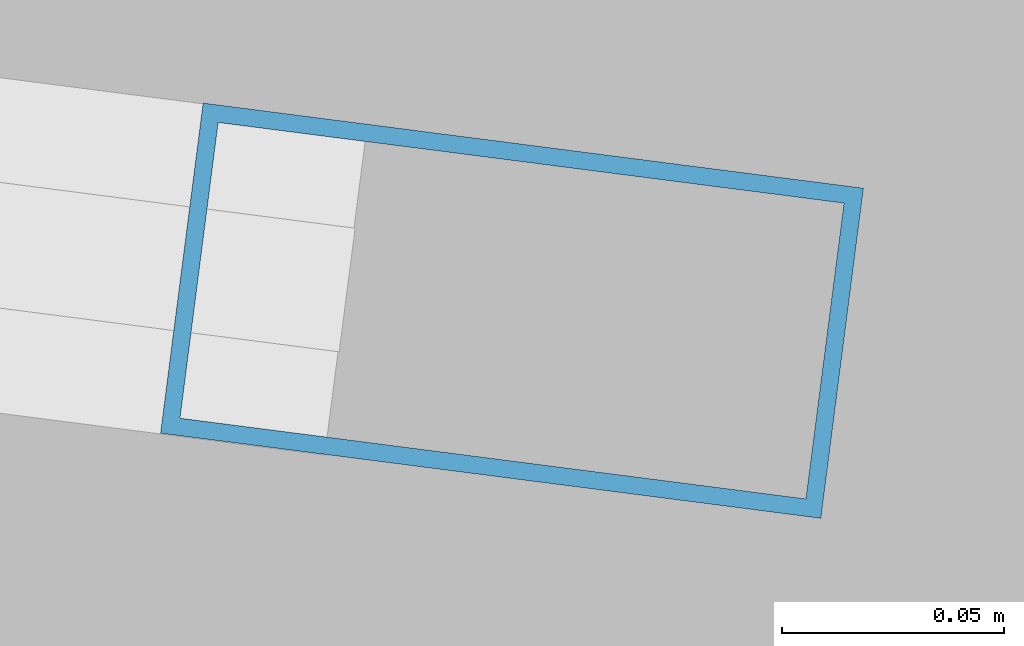
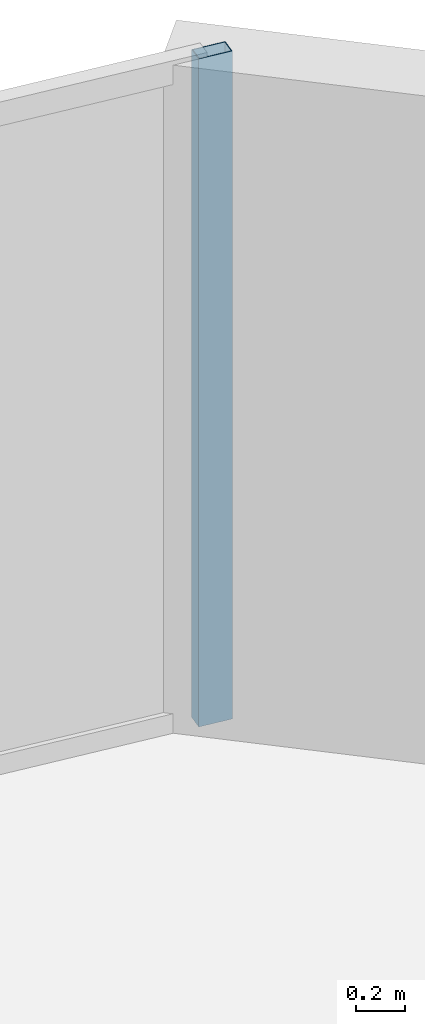
# One storey, part 21 of 30: 1 member, 1 element without a shape of its own.
"""IFC4 building model written with IfcOpenShell, lengths in metres."""

from ifc_helpers import new_model, si_unit, direction, frame, origin, origin_2d, place, context, subcontext, project, spatial, hollow_rectangle, extrude, material, layer, layer_set, material_profile, profile_set, type_object, element, aggregate, save


model = new_model("IFC4")

# Units and contexts
model_context = context("Model", 3, precision=1e-05, world=origin(), true_north=direction((0.0, 1.0)))
body_context = subcontext(model_context, "Body", "Model", "MODEL_VIEW")
ifc_project = project(units=[si_unit("LENGTHUNIT", "METRE"), si_unit("AREAUNIT", "SQUARE_METRE"), si_unit("VOLUMEUNIT", "CUBIC_METRE"), si_unit("PLANEANGLEUNIT", "RADIAN"), si_unit("MASSUNIT", "GRAM", prefix="KILO")], contexts=[model_context])

# Site, building, storey
site_placement = place(None, origin())
site = spatial("IfcSite", under=ifc_project, at=site_placement, CompositionType="ELEMENT")
building_placement = place(site_placement, origin())
building = spatial("IfcBuilding", under=site, at=building_placement, Name="Kazevale Care Tower and Concert Hall", CompositionType="ELEMENT")
storey_placement = place(building_placement, frame((0.0, 0.0, 74.39990234375)))
storey = spatial("IfcBuildingStorey", under=building, at=storey_placement, Name="L19", CompositionType="ELEMENT", Elevation=74.39990234375)

# Curtain wall, member
ifc_material_1 = material(Name="Aluminium 6063-T6 and Low-E Glass", Category="aluminium")
ifc_layer = layer(ifc_material_1, 0.179931640625)
ifc_layer_set = layer_set([ifc_layer], Name="Aluminium 6063-T6 and Low-E Glass")
curtain_wall_type = type_object("IfcCurtainWallType", Name="Convex Recessed Sunroom Curtain Wall CW-3", PredefinedType="NOTDEFINED", material=ifc_layer_set)
curtain_wall_placement = place(storey_placement, origin())
curtain_wall = element("IfcCurtainWall", 1, at=curtain_wall_placement, inside=storey, type_object=curtain_wall_type, Name="cw:L19:f16", PredefinedType="NOTDEFINED")
ifc_material_2 = material(Name="Aluminium 6063-T6", Category="aluminium")
ifc_material_profile = material_profile(ifc_material_2, hollow_rectangle(XDim=0.074951171875, YDim=0.14990234375, WallThickness=0.00390625, at=origin_2d()), Name="ALU75x150x4")
ifc_profile_set = profile_set([ifc_material_profile], Name="Aluminium 6063-T6")
member_type = type_object("IfcMemberType", Name="CW-3 Mullion ALU75x150x4", PredefinedType="MULLION", material=ifc_profile_set)
member_placement = place(storey_placement, frame((63.619873046875, 61.826904296875, 0.0), z_axis=(0.0, 0.0, 1.0), x_axis=(0.127869904852, 0.991790949461, 0.0)))
member = element("IfcMember", 2, at=member_placement, type_object=member_type, Name="CW-3 mullion 2", PredefinedType="MULLION", context=body_context, shape_type="SweptSolid", body=[
    extrude(hollow_rectangle(XDim=0.074951171875, YDim=0.14990234375, WallThickness=0.00390625, at=origin_2d()), origin(), (0.0, 0.0, 1.0), 3.360107421875),
])
aggregate(curtain_wall, [member])

save(model, "model.ifc")
